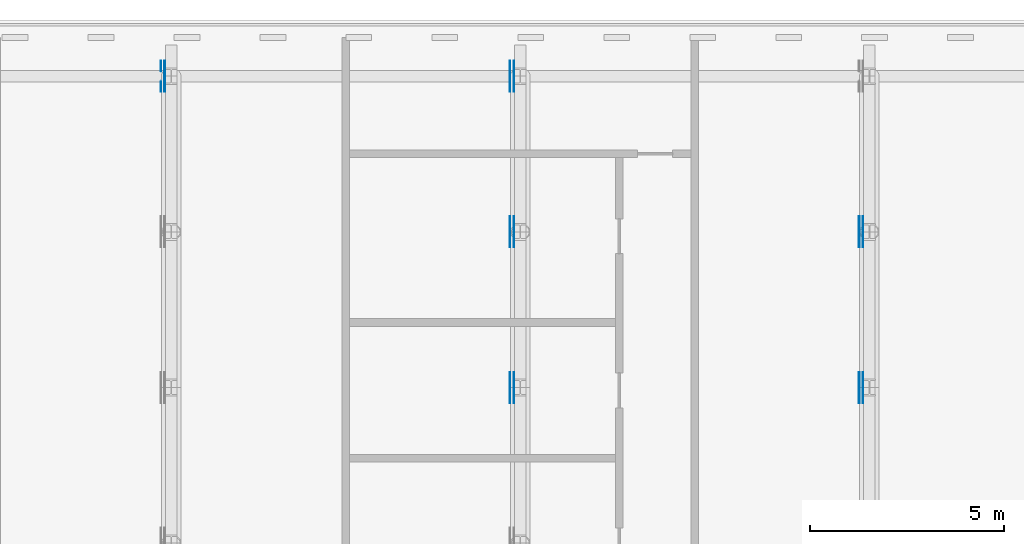
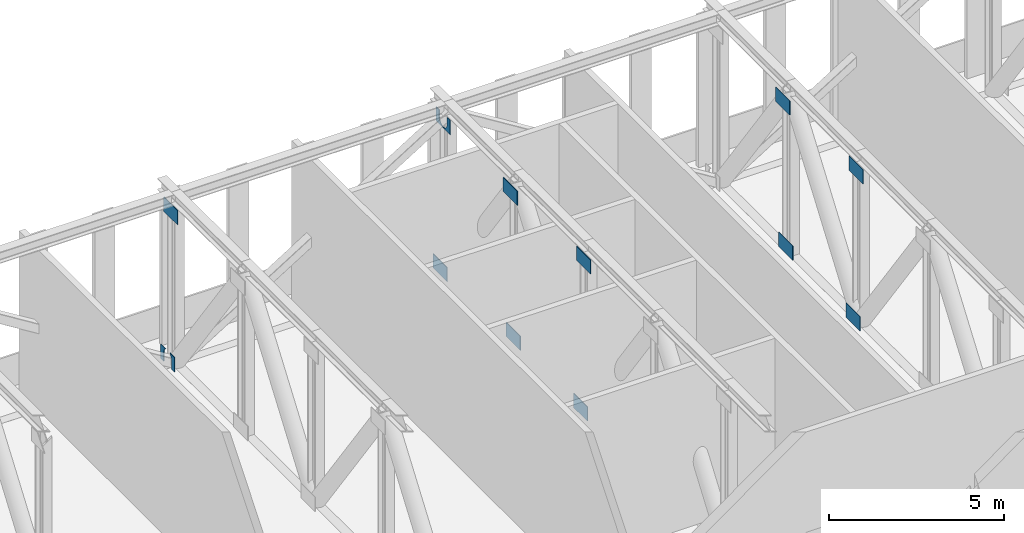
# One storey, part 15 of 26: 13 discrete accessories.
"""IFC4 building model written with IfcOpenShell, lengths in metres."""

from ifc_helpers import new_model, si_unit, direction, frame, origin, place, context, subcontext, project, spatial, polyline, outline, extrude, material, layer, layer_set, type_object, element, save


model = new_model("IFC4")

# Units and contexts
model_context = context("Model", 3, precision=1e-05, world=origin(), true_north=direction((0.0, 1.0)))
body_context = subcontext(model_context, "Body", "Model", "MODEL_VIEW")
ifc_project = project(units=[si_unit("LENGTHUNIT", "METRE"), si_unit("AREAUNIT", "SQUARE_METRE"), si_unit("VOLUMEUNIT", "CUBIC_METRE"), si_unit("PLANEANGLEUNIT", "RADIAN"), si_unit("MASSUNIT", "GRAM", prefix="KILO")], contexts=[model_context])

# Site, building, storey
site_placement = place(None, origin())
site = spatial("IfcSite", under=ifc_project, at=site_placement, CompositionType="ELEMENT")
building_placement = place(site_placement, origin())
building = spatial("IfcBuilding", under=site, at=building_placement, Name="Kajstack Hotel Tower", CompositionType="ELEMENT")
storey_placement = place(building_placement, frame((0.0, 0.0, 47.0)))
storey = spatial("IfcBuildingStorey", under=building, at=storey_placement, Name="L07", CompositionType="ELEMENT", Elevation=47.0)

# Discrete accessories
ifc_material = material(Name="Steel S355J2", Category="steel")
ifc_layer = layer(ifc_material, 0.02001953125)
ifc_layer_set = layer_set([ifc_layer], Name="GUSSET PLATE")
discrete_accessory_type = type_object("IfcDiscreteAccessoryType", Name="GUSSET PLATE", PredefinedType="BRACKET", material=ifc_layer_set)
discrete_accessory_1_placement = place(storey_placement, frame((-27.27392578125, 20.550048828125, 0.0), z_axis=(1.0, 0.0, 0.0), x_axis=(0.0, 1.0, 0.0)))
element("IfcDiscreteAccessory", 1, at=discrete_accessory_1_placement, inside=storey, type_object=discrete_accessory_type, Name="Gusset plate L07-030", PredefinedType="BRACKET", context=body_context, shape_type="SweptSolid", body=[
    extrude(outline(polyline([(0.39990234375, 0.5), (0.115478515625, 0.5), (0.140869140625, 0.482177734375), (0.156982421875, 0.467529296875), (0.171630859375, 0.451416015625), (0.184814453125, 0.433837890625), (0.19580078125, 0.415283203125), (0.205322265625, 0.3955078125), (0.212646484375, 0.375), (0.2177734375, 0.353759765625), (0.22119140625, 0.332275390625), (0.22216796875, 0.310546875), (0.22119140625, 0.0), (0.39990234375, 0.0), (0.39990234375, 0.5)])), origin(), (0.0, 0.0, 1.0), 0.02001953125),
])
discrete_accessory_2_placement = place(storey_placement, frame((-27.27392578125, 20.550048828125, 0.0), z_axis=(1.0, 0.0, 0.0), x_axis=(0.0, 1.0, 0.0)))
element("IfcDiscreteAccessory", 2, at=discrete_accessory_2_placement, inside=storey, type_object=discrete_accessory_type, Name="Gusset plate L07-031", PredefinedType="BRACKET", context=body_context, shape_type="SweptSolid", body=[
    extrude(outline(polyline([(-0.39990234375, 0.0), (-0.22119140625, 0.0), (-0.22216796875, 0.310546875), (-0.22119140625, 0.332275390625), (-0.2177734375, 0.353759765625), (-0.212646484375, 0.375), (-0.205322265625, 0.3955078125), (-0.19580078125, 0.415283203125), (-0.184814453125, 0.433837890625), (-0.171630859375, 0.451416015625), (-0.156982421875, 0.467529296875), (-0.140869140625, 0.482177734375), (-0.115478515625, 0.5), (-0.39990234375, 0.5), (-0.39990234375, 0.0)])), origin(), (0.0, 0.0, 1.0), 0.02001953125),
])
for number, where, z_axis, x_axis, name in (
    (3, (-27.173583984375, 20.550048828125, 5.10009765625), (1.0, 0.0, 0.0), (0.0, 1.0, 0.0), "Gusset plate L07-032"),
    (4, (-18.27392578125, 12.52490234375, 0.0), (1.0, 0.0, 0.0), (0.0, 1.0, 0.0), "Gusset plate L07-037"),
    (5, (-18.173583984375, 12.52490234375, 5.10009765625), (1.0, 0.0, 0.0), (0.0, 1.0, 0.0), "Gusset plate L07-038"),
    (6, (-18.173583984375, 16.53759765625, 0.0), (1.0, 0.0, 0.0), (0.0, 1.0, 0.0), "Gusset plate L07-039"),
    (7, (-18.27392578125, 16.53759765625, 5.10009765625), (1.0, 0.0, 0.0), (0.0, 1.0, 0.0), "Gusset plate L07-040"),
    (8, (-18.27392578125, 20.550048828125, 0.0), (1.0, 0.0, 0.0), (0.0, 1.0, 0.0), "Gusset plate L07-041"),
):
    element("IfcDiscreteAccessory", number, at=place(storey_placement, frame(where, z_axis=z_axis, x_axis=x_axis)), inside=storey, type_object=discrete_accessory_type, Name=name, PredefinedType="BRACKET", context=body_context, shape_type="SweptSolid", body=[
        extrude(outline(polyline([(-0.39990234375, 0.0), (0.39990234375, 0.0), (0.39990234375, 0.5), (-0.39990234375, 0.5), (-0.39990234375, 0.0)])), origin(), (0.0, 0.0, 1.0), 0.02001953125),
    ])
discrete_accessory_3_placement = place(storey_placement, frame((-18.173583984375, 20.550048828125, 5.10009765625), z_axis=(1.0, 0.0, 0.0), x_axis=(0.0, 1.0, 0.0)))
element("IfcDiscreteAccessory", 9, at=discrete_accessory_3_placement, inside=storey, type_object=discrete_accessory_type, Name="Gusset plate L07-042", PredefinedType="BRACKET", context=body_context, shape_type="SweptSolid", body=[
    extrude(outline(polyline([(0.39990234375, 0.5), (0.22216796875, 0.5), (0.22119140625, 0.230224609375), (0.2177734375, 0.208740234375), (0.212646484375, 0.1875), (0.205322265625, 0.1669921875), (0.19580078125, 0.147216796875), (0.184814453125, 0.128662109375), (0.171630859375, 0.111083984375), (0.156982421875, 0.094970703125), (0.140869140625, 0.080322265625), (0.12353515625, 0.0673828125), (0.104736328125, 0.05615234375), (0.0849609375, 0.046875), (0.064453125, 0.03955078125), (0.04345703125, 0.0341796875), (0.021728515625, 0.031005859375), (0.0, 0.02978515625), (-0.021728515625, 0.031005859375), (-0.04345703125, 0.0341796875), (-0.064453125, 0.03955078125), (-0.0849609375, 0.046875), (-0.104736328125, 0.05615234375), (-0.12353515625, 0.0673828125), (-0.140869140625, 0.080322265625), (-0.156982421875, 0.094970703125), (-0.171630859375, 0.111083984375), (-0.184814453125, 0.128662109375), (-0.19580078125, 0.147216796875), (-0.205322265625, 0.1669921875), (-0.212646484375, 0.1875), (-0.2177734375, 0.208740234375), (-0.22119140625, 0.230224609375), (-0.22216796875, 0.5), (-0.39990234375, 0.5), (-0.39990234375, 0.0), (0.39990234375, 0.0), (0.39990234375, 0.5)])), origin(), (0.0, 0.0, 1.0), 0.02001953125),
])
for number, where, z_axis, x_axis, name in (
    (10, (-9.27392578125, 12.52490234375, 0.0), (1.0, 0.0, 0.0), (0.0, 1.0, 0.0), "Gusset plate L07-057"),
    (11, (-9.173583984375, 12.52490234375, 5.10009765625), (1.0, 0.0, 0.0), (0.0, 1.0, 0.0), "Gusset plate L07-058"),
    (12, (-9.173583984375, 16.53759765625, 0.0), (1.0, 0.0, 0.0), (0.0, 1.0, 0.0), "Gusset plate L07-059"),
    (13, (-9.27392578125, 16.53759765625, 5.10009765625), (1.0, 0.0, 0.0), (0.0, 1.0, 0.0), "Gusset plate L07-060"),
):
    element("IfcDiscreteAccessory", number, at=place(storey_placement, frame(where, z_axis=z_axis, x_axis=x_axis)), inside=storey, type_object=discrete_accessory_type, Name=name, PredefinedType="BRACKET", context=body_context, shape_type="SweptSolid", body=[
        extrude(outline(polyline([(-0.39990234375, 0.0), (0.39990234375, 0.0), (0.39990234375, 0.5), (-0.39990234375, 0.5), (-0.39990234375, 0.0)])), origin(), (0.0, 0.0, 1.0), 0.02001953125),
    ])

save(model, "model.ifc")
